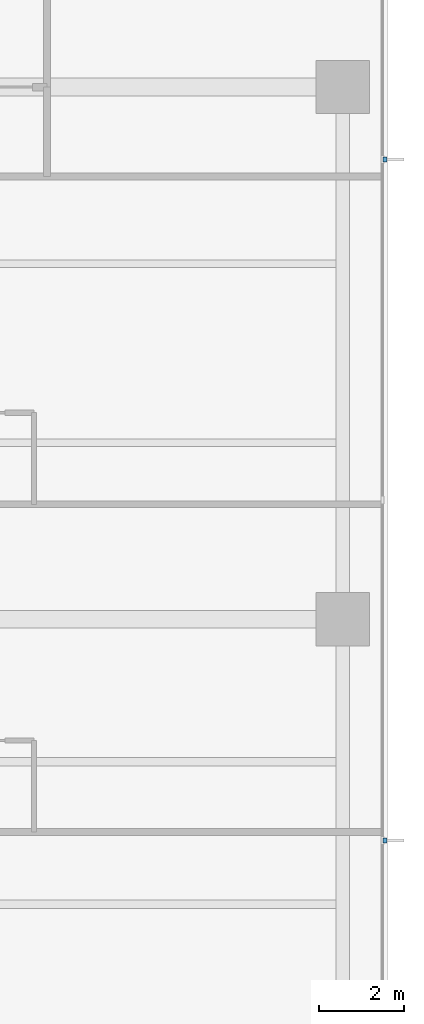
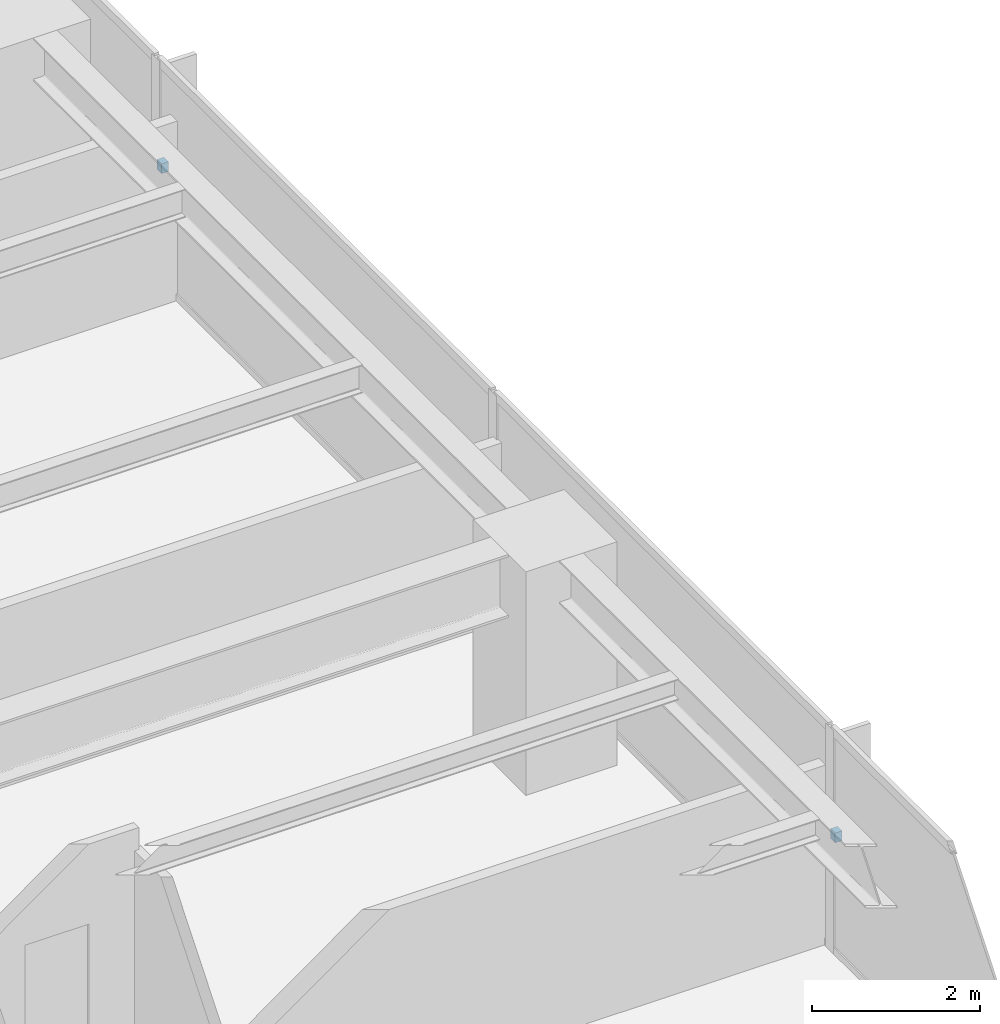
# One storey, part 14 of 17: 2 discrete accessories.
"""IFC4 building model written with IfcOpenShell, lengths in metres."""

from ifc_helpers import new_model, si_unit, direction, frame, origin, place, context, subcontext, project, spatial, polyline, outline, extrude, material, type_object, element, save


model = new_model("IFC4")

# Units and contexts
model_context = context("Model", 3, precision=1e-05, world=origin(), true_north=direction((0.0, 1.0)))
body_context = subcontext(model_context, "Body", "Model", "MODEL_VIEW")
ifc_project = project(units=[si_unit("LENGTHUNIT", "METRE"), si_unit("AREAUNIT", "SQUARE_METRE"), si_unit("VOLUMEUNIT", "CUBIC_METRE"), si_unit("PLANEANGLEUNIT", "RADIAN"), si_unit("MASSUNIT", "GRAM", prefix="KILO")], contexts=[model_context])

# Site, building, storey
site_placement = place(None, origin())
site = spatial("IfcSite", under=ifc_project, at=site_placement, CompositionType="ELEMENT")
building_placement = place(site_placement, origin())
building = spatial("IfcBuilding", under=site, at=building_placement, Name="Qalmaran Belvedere Hotel", CompositionType="ELEMENT")
storey_placement = place(building_placement, frame((0.0, 0.0, 112.699951171875)))
storey = spatial("IfcBuildingStorey", under=building, at=storey_placement, Name="L28", CompositionType="ELEMENT", Elevation=112.699951171875)

# Discrete accessories
ifc_material = material(Name="Stainless Steel 1.4401", Category="steel")
discrete_accessory_type = type_object("IfcDiscreteAccessoryType", Name="BRK-FIN-SS316", PredefinedType="BRACKET", material=ifc_material)
discrete_accessory_1_placement = place(storey_placement, frame((0.0, 0.0, 1.570068359375)))
element("IfcDiscreteAccessory", 1, at=discrete_accessory_1_placement, inside=storey, type_object=discrete_accessory_type, Name="L28 Fin Bracket 1", PredefinedType="BRACKET", context=body_context, shape_type="SweptSolid", body=[
    extrude(outline(polyline([(58.89501953125, 15.2451171875), (58.989990234375, 15.2451171875), (58.989990234375, 15.35498046875), (58.89501953125, 15.35498046875), (58.89501953125, 15.2451171875)])), origin(), (0.0, 0.0, 1.0), 0.139892578125),
])
discrete_accessory_2_placement = place(storey_placement, frame((0.0, 0.0, 1.570068359375)))
element("IfcDiscreteAccessory", 2, at=discrete_accessory_2_placement, inside=storey, type_object=discrete_accessory_type, Name="L28 Fin Bracket 3", PredefinedType="BRACKET", context=body_context, shape_type="SweptSolid", body=[
    extrude(outline(polyline([(58.89501953125, 31.2451171875), (58.989990234375, 31.2451171875), (58.989990234375, 31.35498046875), (58.89501953125, 31.35498046875), (58.89501953125, 31.2451171875)])), origin(), (0.0, 0.0, 1.0), 0.139892578125),
])

save(model, "model.ifc")
